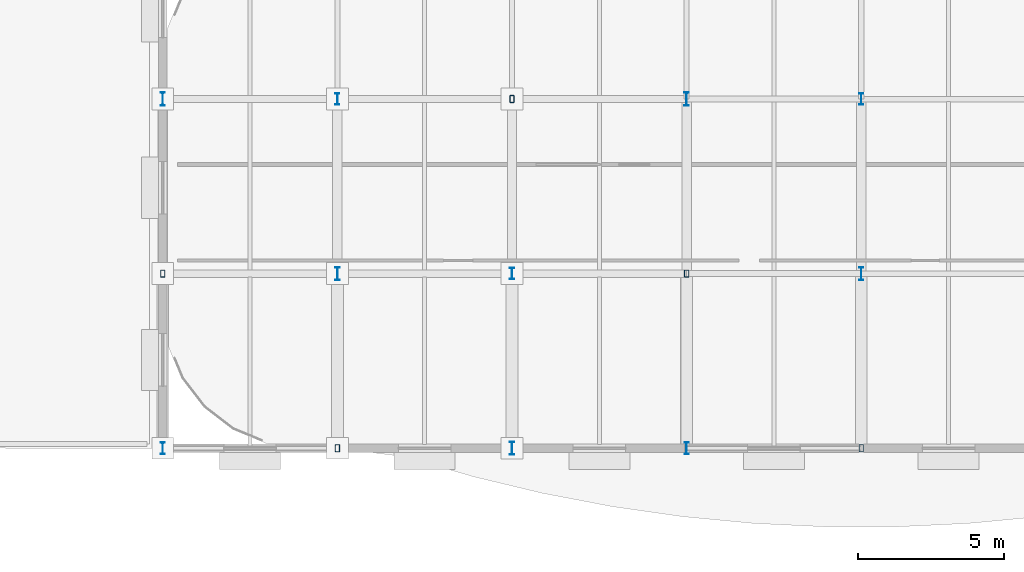
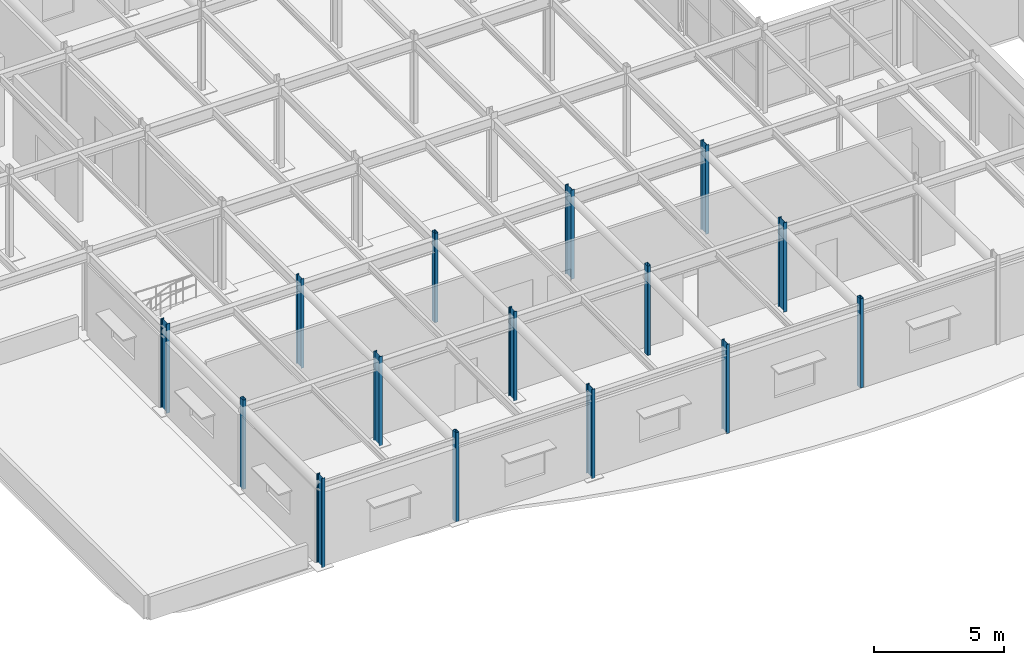
# One storey, part 1 of 116: 15 columns.
"""IFC4 building model written with IfcOpenShell, lengths in metres."""

from ifc_helpers import new_model, si_unit, direction, frame, origin, origin_2d, place, context, subcontext, project, spatial, hollow_rectangle, i_section, extrude, material, material_profile, profile_set, type_object, element, save


model = new_model("IFC4")

# Units and contexts
model_context = context("Model", 3, precision=1e-05, world=origin(), true_north=direction((0.0, 1.0)))
body_context = subcontext(model_context, "Body", "Model", "MODEL_VIEW")
ifc_project = project(units=[si_unit("LENGTHUNIT", "METRE"), si_unit("AREAUNIT", "SQUARE_METRE"), si_unit("VOLUMEUNIT", "CUBIC_METRE"), si_unit("PLANEANGLEUNIT", "RADIAN"), si_unit("MASSUNIT", "GRAM", prefix="KILO")], contexts=[model_context])

# Site, building, storey
site_placement = place(None, origin())
site = spatial("IfcSite", under=ifc_project, at=site_placement, CompositionType="ELEMENT")
building_placement = place(site_placement, origin())
building = spatial("IfcBuilding", under=site, at=building_placement, Name="Varnakota Square Police Headquarters", CompositionType="ELEMENT")
storey_placement = place(building_placement, frame((0.0, 0.0, 9.300048828125)))
storey = spatial("IfcBuildingStorey", under=building, at=storey_placement, Name="L02", CompositionType="ELEMENT", Elevation=9.300048828125)

# Columns
ifc_material = material(Name="Steel IS 2062 Grade 350", Category="steel")
ifc_material_profile_1 = material_profile(ifc_material, i_section(OverallWidth=0.139892578125, OverallDepth=0.39990234375, WebThickness=0.0087890625, FlangeThickness=0.01611328125, FilletRadius=0.013916015625, at=origin_2d()), Name="ISMB 400")
ifc_profile_set_1 = profile_set([ifc_material_profile_1], Name="Steel IS 2062 Grade 350")
column_type_1 = type_object("IfcColumnType", Name="COL-ISMB400", PredefinedType="COLUMN", material=ifc_profile_set_1)
for number, where, z_axis, x_axis, name in (
    (1, (12.0, 3.0, 0.0), (0.0, 0.0, 1.0), (1.0, 0.0, 0.0), "Column X0120-Y0030 L02"),
    (2, (18.0, 15.0, 0.0), (0.0, 0.0, 1.0), (1.0, 0.0, 0.0), "Column X0180-Y0150 L02"),
    (3, (24.0, 9.0, 0.0), (0.0, 0.0, 1.0), (1.0, 0.0, 0.0), "Column X0240-Y0090 L02"),
    (4, (30.0, 3.0, 0.0), (0.0, 0.0, 1.0), (1.0, 0.0, 0.0), "Column X0300-Y0030 L02"),
    (5, (36.0, 15.0, 0.0), (0.0, 0.0, 1.0), (1.0, 0.0, 0.0), "Column X0360-Y0150 L02"),
):
    element("IfcColumn", number, at=place(storey_placement, frame(where, z_axis=z_axis, x_axis=x_axis)), inside=storey, type_object=column_type_1, Name=name, PredefinedType="COLUMN", context=body_context, shape_type="SweptSolid", body=[
        extrude(i_section(OverallWidth=0.139892578125, OverallDepth=0.39990234375, WebThickness=0.0087890625, FlangeThickness=0.01611328125, FilletRadius=0.013916015625, at=origin_2d()), origin(), (0.0, 0.0, 1.0), 4.199951171875),
    ])
ifc_material_profile_2 = material_profile(ifc_material, i_section(OverallWidth=0.14990234375, OverallDepth=0.449951171875, WebThickness=0.009521484375, FlangeThickness=0.017333984375, FilletRadius=0.014892578125, at=origin_2d()), Name="ISMB 450")
ifc_profile_set_2 = profile_set([ifc_material_profile_2], Name="Steel IS 2062 Grade 350")
column_type_2 = type_object("IfcColumnType", Name="COL-ISMB450", PredefinedType="COLUMN", material=ifc_profile_set_2)
for number, where, z_axis, x_axis, name in (
    (6, (12.0, 15.0, 0.0), (0.0, 0.0, 1.0), (1.0, 0.0, 0.0), "Column X0120-Y0150 L02"),
    (7, (18.0, 9.0, 0.0), (0.0, 0.0, 1.0), (1.0, 0.0, 0.0), "Column X0180-Y0090 L02"),
    (8, (24.0, 3.0, 0.0), (0.0, 0.0, 1.0), (1.0, 0.0, 0.0), "Column X0240-Y0030 L02"),
    (9, (30.0, 15.0, 0.0), (0.0, 0.0, 1.0), (1.0, 0.0, 0.0), "Column X0300-Y0150 L02"),
    (10, (36.0, 9.0, 0.0), (0.0, 0.0, 1.0), (1.0, 0.0, 0.0), "Column X0360-Y0090 L02"),
):
    element("IfcColumn", number, at=place(storey_placement, frame(where, z_axis=z_axis, x_axis=x_axis)), inside=storey, type_object=column_type_2, Name=name, PredefinedType="COLUMN", context=body_context, shape_type="SweptSolid", body=[
        extrude(i_section(OverallWidth=0.14990234375, OverallDepth=0.449951171875, WebThickness=0.009521484375, FlangeThickness=0.017333984375, FilletRadius=0.014892578125, at=origin_2d()), origin(), (0.0, 0.0, 1.0), 4.199951171875),
    ])
ifc_material_profile_3 = material_profile(ifc_material, hollow_rectangle(XDim=0.14990234375, YDim=0.25, WallThickness=0.010009765625, InnerFilletRadius=0.010009765625, OuterFilletRadius=0.02001953125, at=origin_2d()), Name="RHS 250x150x10")
ifc_profile_set_3 = profile_set([ifc_material_profile_3], Name="Steel IS 2062 Grade 350")
column_type_3 = type_object("IfcColumnType", Name="COL-RHS250", PredefinedType="COLUMN", material=ifc_profile_set_3)
for number, where, z_axis, x_axis, name in (
    (11, (12.0, 9.0, 0.0), (0.0, 0.0, 1.0), (1.0, 0.0, 0.0), "Column X0120-Y0090 L02"),
    (12, (18.0, 3.0, 0.0), (0.0, 0.0, 1.0), (1.0, 0.0, 0.0), "Column X0180-Y0030 L02"),
    (13, (24.0, 15.0, 0.0), (0.0, 0.0, 1.0), (1.0, 0.0, 0.0), "Column X0240-Y0150 L02"),
    (14, (30.0, 9.0, 0.0), (0.0, 0.0, 1.0), (1.0, 0.0, 0.0), "Column X0300-Y0090 L02"),
    (15, (36.0, 3.0, 0.0), (0.0, 0.0, 1.0), (1.0, 0.0, 0.0), "Column X0360-Y0030 L02"),
):
    element("IfcColumn", number, at=place(storey_placement, frame(where, z_axis=z_axis, x_axis=x_axis)), inside=storey, type_object=column_type_3, Name=name, PredefinedType="COLUMN", context=body_context, shape_type="SweptSolid", body=[
        extrude(hollow_rectangle(XDim=0.14990234375, YDim=0.25, WallThickness=0.010009765625, InnerFilletRadius=0.010009765625, OuterFilletRadius=0.02001953125, at=origin_2d()), origin(), (0.0, 0.0, 1.0), 4.199951171875),
    ])

save(model, "model.ifc")
